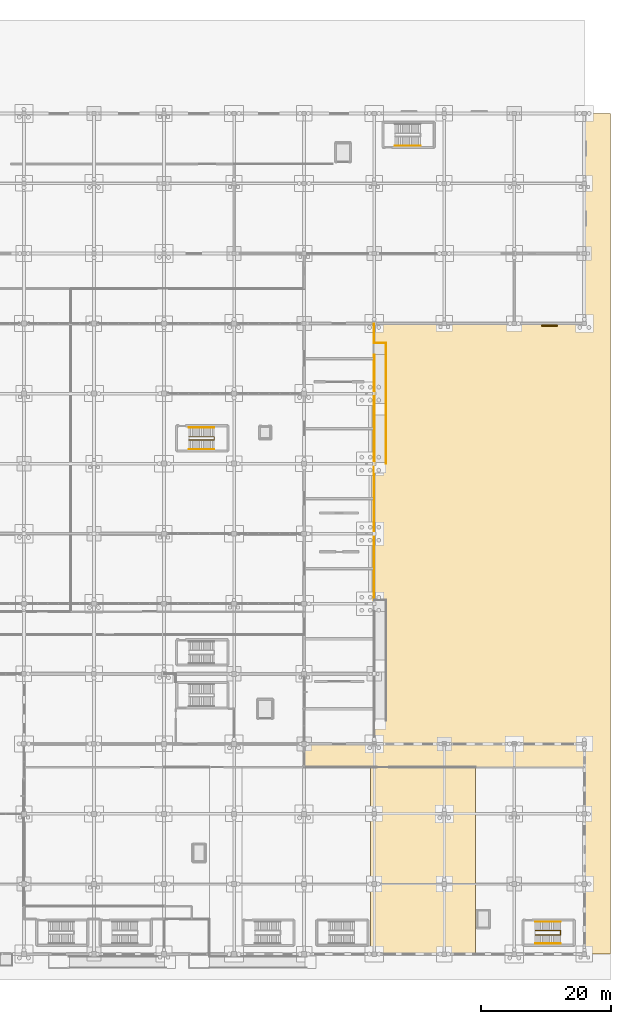
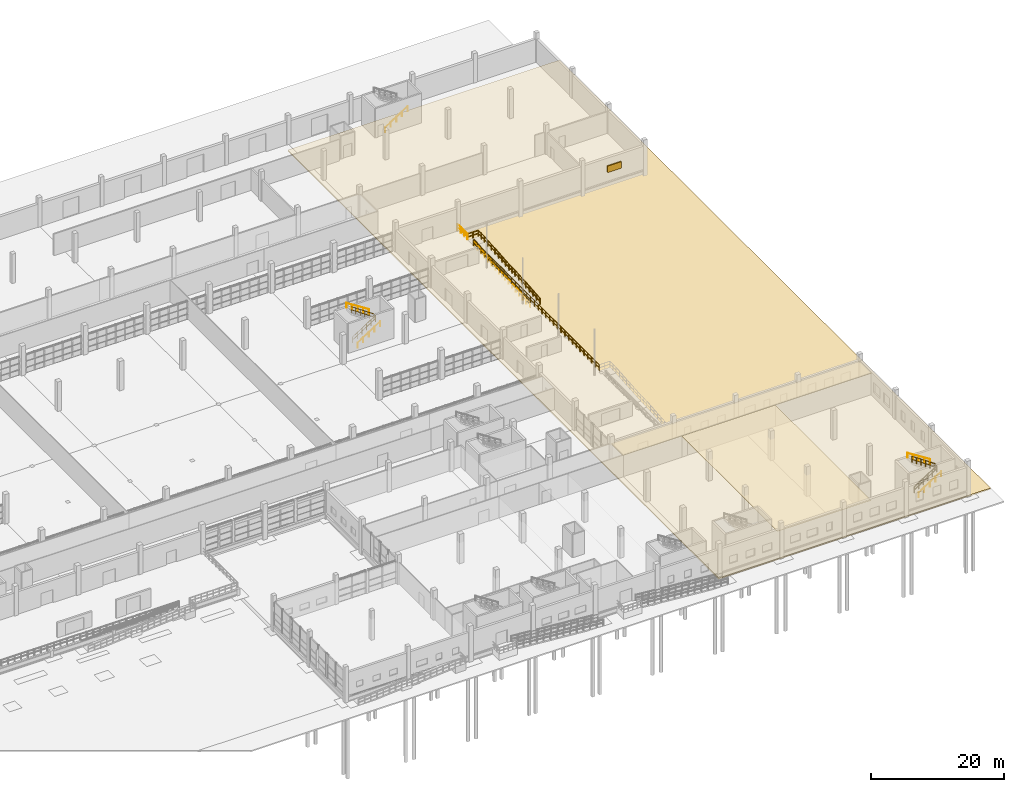
# One storey, part 136 of 138: 12 railings, 3 coverings, 1 shading device.
"""IFC4 building model written with IfcOpenShell, lengths in metres."""

from ifc_helpers import new_model, si_unit, direction, frame, origin, origin_2d, place, context, subcontext, project, spatial, polyline, rectangle, circle, outline, extrude, material, layer, layer_set, type_object, element, save


model = new_model("IFC4")

# Units and contexts
model_context = context("Model", 3, precision=1e-05, world=origin(), true_north=direction((0.0, 1.0)))
body_context = subcontext(model_context, "Body", "Model", "MODEL_VIEW")
ifc_project = project(units=[si_unit("LENGTHUNIT", "METRE"), si_unit("AREAUNIT", "SQUARE_METRE"), si_unit("VOLUMEUNIT", "CUBIC_METRE"), si_unit("PLANEANGLEUNIT", "RADIAN"), si_unit("MASSUNIT", "GRAM", prefix="KILO")], contexts=[model_context])

# Site, building, storey
site_placement = place(None, origin())
site = spatial("IfcSite", under=ifc_project, at=site_placement, CompositionType="ELEMENT")
building_placement = place(site_placement, origin())
building = spatial("IfcBuilding", under=site, at=building_placement, Name="Zwinboog Wholesale Market", CompositionType="ELEMENT")
storey_placement = place(building_placement, origin())
storey = spatial("IfcBuildingStorey", under=building, at=storey_placement, Name="L00", CompositionType="ELEMENT", Elevation=0.0)

# Shading device
ifc_material_1 = material(Name="Western red cedar timber", Category="wood")
shading_device_type = type_object("IfcShadingDeviceType", Name="SHD-LVR-CEDAR", PredefinedType="JALOUSIE", material=ifc_material_1)
shading_device_placement = place(storey_placement, frame((210.60009765625, 96.892578125, 1.7001953125), z_axis=(0.0, 0.0, 1.0), x_axis=(1.0, 0.0, 0.0)))
element("IfcShadingDevice", 1, at=shading_device_placement, inside=storey, type_object=shading_device_type, Name="LV-01 (SHD-LVR-08)", PredefinedType="JALOUSIE", context=body_context, shape_type="SweptSolid", body=[
    extrude(rectangle(XDim=2.39990234375, YDim=0.179931640625, at=origin_2d()), origin(), (0.0, 0.0, 1.0), 1.199951171875),
])

# Railings
ifc_material_2 = material(Name="Steel S355", Category="steel")
railing_type_1 = type_object("IfcRailingType", Name="RLT-EXT-GUARD", PredefinedType="BALUSTRADE", material=ifc_material_2)
railing_1_placement = place(storey_placement, frame((183.550048828125, 54.60009765625, 0.0)))
element("IfcRailing", 2, at=railing_1_placement, inside=storey, type_object=railing_type_1, Name="GR-01 (RLG-EXT-06)", PredefinedType="BALUSTRADE", context=body_context, shape_type="SweptSolid", body=[
    extrude(circle(Radius=0.02392578125, at=origin_2d()), frame((0.0, 0.0, 1.09619140625), z_axis=(0.0, 1.0, 0.0), x_axis=(-1.0, 0.0, 0.0)), (0.0, 0.0, 1.0), 37.7998046875),
    extrude(circle(Radius=0.02392578125, at=origin_2d()), frame((0.0, 0.0, 0.5361328125), z_axis=(0.0, 1.0, 0.0), x_axis=(-1.0, 0.0, 0.0)), (0.0, 0.0, 1.0), 37.7998046875),
    extrude(circle(Radius=0.02099609375, at=origin_2d()), origin(), (0.0, 0.0, 1.0), 1.072021484375),
    extrude(circle(Radius=0.02099609375, at=origin_2d()), frame((0.0, 1.1455078125, 0.0)), (0.0, 0.0, 1.0), 1.072021484375),
    extrude(circle(Radius=0.02099609375, at=origin_2d()), frame((0.0, 2.291015625, 0.0)), (0.0, 0.0, 1.0), 1.072021484375),
    extrude(circle(Radius=0.02099609375, at=origin_2d()), frame((0.0, 3.436279296875, 0.0)), (0.0, 0.0, 1.0), 1.072021484375),
    extrude(circle(Radius=0.02099609375, at=origin_2d()), frame((0.0, 4.581787109375, 0.0)), (0.0, 0.0, 1.0), 1.072021484375),
    extrude(circle(Radius=0.02099609375, at=origin_2d()), frame((0.0, 5.727294921875, 0.0)), (0.0, 0.0, 1.0), 1.072021484375),
    extrude(circle(Radius=0.02099609375, at=origin_2d()), frame((0.0, 6.872802734375, 0.0)), (0.0, 0.0, 1.0), 1.072021484375),
    extrude(circle(Radius=0.02099609375, at=origin_2d()), frame((0.0, 8.01806640625, 0.0)), (0.0, 0.0, 1.0), 1.072021484375),
    extrude(circle(Radius=0.02099609375, at=origin_2d()), frame((0.0, 9.16357421875, 0.0)), (0.0, 0.0, 1.0), 1.072021484375),
    extrude(circle(Radius=0.02099609375, at=origin_2d()), frame((0.0, 10.30908203125, 0.0)), (0.0, 0.0, 1.0), 1.072021484375),
    extrude(circle(Radius=0.02099609375, at=origin_2d()), frame((0.0, 11.45458984375, 0.0)), (0.0, 0.0, 1.0), 1.072021484375),
    extrude(circle(Radius=0.02099609375, at=origin_2d()), frame((0.0, 12.599853515625, 0.0)), (0.0, 0.0, 1.0), 1.072021484375),
    extrude(circle(Radius=0.02099609375, at=origin_2d()), frame((0.0, 13.745361328125, 0.0)), (0.0, 0.0, 1.0), 1.072021484375),
    extrude(circle(Radius=0.02099609375, at=origin_2d()), frame((0.0, 14.890869140625, 0.0)), (0.0, 0.0, 1.0), 1.072021484375),
    extrude(circle(Radius=0.02099609375, at=origin_2d()), frame((0.0, 16.036376953125, 0.0)), (0.0, 0.0, 1.0), 1.072021484375),
    extrude(circle(Radius=0.02099609375, at=origin_2d()), frame((0.0, 17.181640625, 0.0)), (0.0, 0.0, 1.0), 1.072021484375),
    extrude(circle(Radius=0.02099609375, at=origin_2d()), frame((0.0, 18.3271484375, 0.0)), (0.0, 0.0, 1.0), 1.072021484375),
    extrude(circle(Radius=0.02099609375, at=origin_2d()), frame((0.0, 19.47265625, 0.0)), (0.0, 0.0, 1.0), 1.072021484375),
    extrude(circle(Radius=0.02099609375, at=origin_2d()), frame((0.0, 20.6181640625, 0.0)), (0.0, 0.0, 1.0), 1.072021484375),
    extrude(circle(Radius=0.02099609375, at=origin_2d()), frame((0.0, 21.763427734375, 0.0)), (0.0, 0.0, 1.0), 1.072021484375),
    extrude(circle(Radius=0.02099609375, at=origin_2d()), frame((0.0, 22.908935546875, 0.0)), (0.0, 0.0, 1.0), 1.072021484375),
    extrude(circle(Radius=0.02099609375, at=origin_2d()), frame((0.0, 24.054443359375, 0.0)), (0.0, 0.0, 1.0), 1.072021484375),
    extrude(circle(Radius=0.02099609375, at=origin_2d()), frame((0.0, 25.199951171875, 0.0)), (0.0, 0.0, 1.0), 1.072021484375),
    extrude(circle(Radius=0.02099609375, at=origin_2d()), frame((0.0, 26.34521484375, 0.0)), (0.0, 0.0, 1.0), 1.072021484375),
    extrude(circle(Radius=0.02099609375, at=origin_2d()), frame((0.0, 27.49072265625, 0.0)), (0.0, 0.0, 1.0), 1.072021484375),
    extrude(circle(Radius=0.02099609375, at=origin_2d()), frame((0.0, 28.63623046875, 0.0)), (0.0, 0.0, 1.0), 1.072021484375),
    extrude(circle(Radius=0.02099609375, at=origin_2d()), frame((0.0, 29.78173828125, 0.0)), (0.0, 0.0, 1.0), 1.072021484375),
    extrude(circle(Radius=0.02099609375, at=origin_2d()), frame((0.0, 30.927001953125, 0.0)), (0.0, 0.0, 1.0), 1.072021484375),
    extrude(circle(Radius=0.02099609375, at=origin_2d()), frame((0.0, 32.072509765625, 0.0)), (0.0, 0.0, 1.0), 1.072021484375),
    extrude(circle(Radius=0.02099609375, at=origin_2d()), frame((0.0, 33.218017578125, 0.0)), (0.0, 0.0, 1.0), 1.072021484375),
    extrude(circle(Radius=0.02099609375, at=origin_2d()), frame((0.0, 34.363525390625, 0.0)), (0.0, 0.0, 1.0), 1.072021484375),
    extrude(circle(Radius=0.02099609375, at=origin_2d()), frame((0.0, 35.5087890625, 0.0)), (0.0, 0.0, 1.0), 1.072021484375),
    extrude(circle(Radius=0.02099609375, at=origin_2d()), frame((0.0, 36.654296875, 0.0)), (0.0, 0.0, 1.0), 1.072021484375),
    extrude(circle(Radius=0.02099609375, at=origin_2d()), frame((0.0, 37.7998046875, 0.0)), (0.0, 0.0, 1.0), 1.072021484375),
])
railing_2_placement = place(storey_placement, frame((183.550048828125, 94.199951171875, 0.0)))
element("IfcRailing", 3, at=railing_2_placement, inside=storey, type_object=railing_type_1, Name="GR-01 (RLG-EXT-07)", PredefinedType="BALUSTRADE", context=body_context, shape_type="SweptSolid", body=[
    extrude(circle(Radius=0.02392578125, at=origin_2d()), frame((0.0, 0.0, 1.09619140625), z_axis=(0.0, 1.0, 0.0), x_axis=(-1.0, 0.0, 0.0)), (0.0, 0.0, 1.0), 2.949951171875),
    extrude(circle(Radius=0.02392578125, at=origin_2d()), frame((0.0, 0.0, 0.5361328125), z_axis=(0.0, 1.0, 0.0), x_axis=(-1.0, 0.0, 0.0)), (0.0, 0.0, 1.0), 2.949951171875),
    extrude(circle(Radius=0.02099609375, at=origin_2d()), origin(), (0.0, 0.0, 1.0), 1.072021484375),
    extrude(circle(Radius=0.02099609375, at=origin_2d()), frame((0.0, 0.9833984375, 0.0)), (0.0, 0.0, 1.0), 1.072021484375),
    extrude(circle(Radius=0.02099609375, at=origin_2d()), frame((0.0, 1.966552734375, 0.0)), (0.0, 0.0, 1.0), 1.072021484375),
    extrude(circle(Radius=0.02099609375, at=origin_2d()), frame((0.0, 2.949951171875, 0.0)), (0.0, 0.0, 1.0), 1.072021484375),
])
railing_3_placement = place(storey_placement, frame((185.409912109375, 75.60009765625, -1.199951171875)))
element("IfcRailing", 4, at=railing_3_placement, inside=storey, type_object=railing_type_1, Name="GR-01 (RLG-RMP-05-GO)", PredefinedType="BALUSTRADE", context=body_context, shape_type="SweptSolid", body=[
    extrude(circle(Radius=0.02392578125, at=origin_2d()), frame((0.0, 0.0, 1.09619140625), z_axis=(0.0, 0.99681682597, 0.079725876999), x_axis=(-1.0, 0.0, 0.0)), (0.0, 0.0, 1.0), 7.52392578125),
    extrude(circle(Radius=0.02392578125, at=origin_2d()), frame((0.0, 0.0, 0.5361328125), z_axis=(0.0, 0.99681682597, 0.079725876999), x_axis=(-1.0, 0.0, 0.0)), (0.0, 0.0, 1.0), 7.52392578125),
    extrude(circle(Radius=0.02392578125, at=origin_2d()), frame((0.0, 7.5, 1.69580078125), z_axis=(0.0, 1.0, 0.0), x_axis=(-1.0, 0.0, 0.0)), (0.0, 0.0, 1.0), 1.7998046875),
    extrude(circle(Radius=0.02392578125, at=origin_2d()), frame((0.0, 7.5, 1.1357421875), z_axis=(0.0, 1.0, 0.0), x_axis=(-1.0, 0.0, 0.0)), (0.0, 0.0, 1.0), 1.7998046875),
    extrude(circle(Radius=0.02392578125, at=origin_2d()), frame((0.0, 9.2998046875, 1.69580078125), z_axis=(0.0, 0.996814246708, 0.079758119089), x_axis=(-1.0, 0.0, 0.0)), (0.0, 0.0, 1.0), 7.52392578125),
    extrude(circle(Radius=0.02392578125, at=origin_2d()), frame((0.0, 9.2998046875, 1.1357421875), z_axis=(0.0, 0.996814246708, 0.079758119089), x_axis=(-1.0, 0.0, 0.0)), (0.0, 0.0, 1.0), 7.52392578125),
    extrude(circle(Radius=0.02392578125, at=origin_2d()), frame((0.0, 16.7998046875, 2.2958984375), z_axis=(0.0, 1.0, 0.0), x_axis=(-1.0, 0.0, 0.0)), (0.0, 0.0, 1.0), 1.800048828125),
    extrude(circle(Radius=0.02392578125, at=origin_2d()), frame((0.0, 16.7998046875, 1.73583984375), z_axis=(0.0, 1.0, 0.0), x_axis=(-1.0, 0.0, 0.0)), (0.0, 0.0, 1.0), 1.800048828125),
    extrude(circle(Radius=0.02392578125, at=origin_2d()), frame((0.0, 18.599853515625, 2.2958984375), z_axis=(-1.0, 0.0, 0.0), x_axis=(0.0, -1.0, 0.0)), (0.0, 0.0, 1.0), 1.809814453125),
    extrude(circle(Radius=0.02392578125, at=origin_2d()), frame((0.0, 18.599853515625, 1.73583984375), z_axis=(-1.0, 0.0, 0.0), x_axis=(0.0, -1.0, 0.0)), (0.0, 0.0, 1.0), 1.809814453125),
    extrude(circle(Radius=0.02099609375, at=origin_2d()), origin(), (0.0, 0.0, 1.0), 1.072021484375),
    extrude(circle(Radius=0.02099609375, at=origin_2d()), frame((0.0, 1.071533203125, 0.085693359375)), (0.0, 0.0, 1.0), 1.072021484375),
    extrude(circle(Radius=0.02099609375, at=origin_2d()), frame((0.0, 2.142822265625, 0.17138671875)), (0.0, 0.0, 1.0), 1.072021484375),
    extrude(circle(Radius=0.02099609375, at=origin_2d()), frame((0.0, 3.21435546875, 0.257080078125)), (0.0, 0.0, 1.0), 1.072021484375),
    extrude(circle(Radius=0.02099609375, at=origin_2d()), frame((0.0, 4.28564453125, 0.3427734375)), (0.0, 0.0, 1.0), 1.072021484375),
    extrude(circle(Radius=0.02099609375, at=origin_2d()), frame((0.0, 5.357177734375, 0.428466796875)), (0.0, 0.0, 1.0), 1.072021484375),
    extrude(circle(Radius=0.02099609375, at=origin_2d()), frame((0.0, 6.428466796875, 0.51416015625)), (0.0, 0.0, 1.0), 1.072021484375),
    extrude(circle(Radius=0.02099609375, at=origin_2d()), frame((0.0, 7.5, 0.599853515625)), (0.0, 0.0, 1.0), 1.072021484375),
    extrude(circle(Radius=0.02099609375, at=origin_2d()), frame((0.0, 8.39990234375, 0.599853515625)), (0.0, 0.0, 1.0), 1.072021484375),
    extrude(circle(Radius=0.02099609375, at=origin_2d()), frame((0.0, 9.2998046875, 0.599853515625)), (0.0, 0.0, 1.0), 1.072021484375),
    extrude(circle(Radius=0.02099609375, at=origin_2d()), frame((0.0, 10.371337890625, 0.685546875)), (0.0, 0.0, 1.0), 1.072021484375),
    extrude(circle(Radius=0.02099609375, at=origin_2d()), frame((0.0, 11.442626953125, 0.771240234375)), (0.0, 0.0, 1.0), 1.072021484375),
    extrude(circle(Radius=0.02099609375, at=origin_2d()), frame((0.0, 12.51416015625, 0.85693359375)), (0.0, 0.0, 1.0), 1.072021484375),
    extrude(circle(Radius=0.02099609375, at=origin_2d()), frame((0.0, 13.58544921875, 0.94287109375)), (0.0, 0.0, 1.0), 1.072021484375),
    extrude(circle(Radius=0.02099609375, at=origin_2d()), frame((0.0, 14.656982421875, 1.028564453125)), (0.0, 0.0, 1.0), 1.072021484375),
    extrude(circle(Radius=0.02099609375, at=origin_2d()), frame((0.0, 15.728271484375, 1.1142578125)), (0.0, 0.0, 1.0), 1.072021484375),
    extrude(circle(Radius=0.02099609375, at=origin_2d()), frame((0.0, 16.7998046875, 1.199951171875)), (0.0, 0.0, 1.0), 1.072021484375),
    extrude(circle(Radius=0.02099609375, at=origin_2d()), frame((0.0, 17.69970703125, 1.199951171875)), (0.0, 0.0, 1.0), 1.072021484375),
    extrude(circle(Radius=0.02099609375, at=origin_2d()), frame((0.0, 18.599853515625, 1.199951171875)), (0.0, 0.0, 1.0), 1.072021484375),
    extrude(circle(Radius=0.02099609375, at=origin_2d()), frame((-0.90478515625, 18.599853515625, 1.199951171875)), (0.0, 0.0, 1.0), 1.072021484375),
    extrude(circle(Radius=0.02099609375, at=origin_2d()), frame((-1.809814453125, 18.599853515625, 1.199951171875)), (0.0, 0.0, 1.0), 1.072021484375),
])
railing_4_placement = place(storey_placement, frame((183.68994140625, 75.60009765625, -1.199951171875)))
element("IfcRailing", 5, at=railing_4_placement, inside=storey, type_object=railing_type_1, Name="GR-01 (RLG-RMP-05-GI)", PredefinedType="BALUSTRADE", context=body_context, shape_type="SweptSolid", body=[
    extrude(circle(Radius=0.02392578125, at=origin_2d()), frame((0.0, 0.0, 1.09619140625), z_axis=(0.0, 0.99681682597, 0.079725876999), x_axis=(-1.0, 0.0, 0.0)), (0.0, 0.0, 1.0), 7.52392578125),
    extrude(circle(Radius=0.02392578125, at=origin_2d()), frame((0.0, 0.0, 0.5361328125), z_axis=(0.0, 0.99681682597, 0.079725876999), x_axis=(-1.0, 0.0, 0.0)), (0.0, 0.0, 1.0), 7.52392578125),
    extrude(circle(Radius=0.02392578125, at=origin_2d()), frame((0.0, 7.5, 1.69580078125), z_axis=(0.0, 1.0, 0.0), x_axis=(-1.0, 0.0, 0.0)), (0.0, 0.0, 1.0), 1.7998046875),
    extrude(circle(Radius=0.02392578125, at=origin_2d()), frame((0.0, 7.5, 1.1357421875), z_axis=(0.0, 1.0, 0.0), x_axis=(-1.0, 0.0, 0.0)), (0.0, 0.0, 1.0), 1.7998046875),
    extrude(circle(Radius=0.02392578125, at=origin_2d()), frame((0.0, 9.2998046875, 1.69580078125), z_axis=(0.0, 0.996814246708, 0.079758119089), x_axis=(-1.0, 0.0, 0.0)), (0.0, 0.0, 1.0), 7.52392578125),
    extrude(circle(Radius=0.02392578125, at=origin_2d()), frame((0.0, 9.2998046875, 1.1357421875), z_axis=(0.0, 0.996814246708, 0.079758119089), x_axis=(-1.0, 0.0, 0.0)), (0.0, 0.0, 1.0), 7.52392578125),
    extrude(circle(Radius=0.02099609375, at=origin_2d()), origin(), (0.0, 0.0, 1.0), 1.072021484375),
    extrude(circle(Radius=0.02099609375, at=origin_2d()), frame((0.0, 1.071533203125, 0.085693359375)), (0.0, 0.0, 1.0), 1.072021484375),
    extrude(circle(Radius=0.02099609375, at=origin_2d()), frame((0.0, 2.142822265625, 0.17138671875)), (0.0, 0.0, 1.0), 1.072021484375),
    extrude(circle(Radius=0.02099609375, at=origin_2d()), frame((0.0, 3.21435546875, 0.257080078125)), (0.0, 0.0, 1.0), 1.072021484375),
    extrude(circle(Radius=0.02099609375, at=origin_2d()), frame((0.0, 4.28564453125, 0.3427734375)), (0.0, 0.0, 1.0), 1.072021484375),
    extrude(circle(Radius=0.02099609375, at=origin_2d()), frame((0.0, 5.357177734375, 0.428466796875)), (0.0, 0.0, 1.0), 1.072021484375),
    extrude(circle(Radius=0.02099609375, at=origin_2d()), frame((0.0, 6.428466796875, 0.51416015625)), (0.0, 0.0, 1.0), 1.072021484375),
    extrude(circle(Radius=0.02099609375, at=origin_2d()), frame((0.0, 7.5, 0.599853515625)), (0.0, 0.0, 1.0), 1.072021484375),
    extrude(circle(Radius=0.02099609375, at=origin_2d()), frame((0.0, 8.39990234375, 0.599853515625)), (0.0, 0.0, 1.0), 1.072021484375),
    extrude(circle(Radius=0.02099609375, at=origin_2d()), frame((0.0, 9.2998046875, 0.599853515625)), (0.0, 0.0, 1.0), 1.072021484375),
    extrude(circle(Radius=0.02099609375, at=origin_2d()), frame((0.0, 10.371337890625, 0.685546875)), (0.0, 0.0, 1.0), 1.072021484375),
    extrude(circle(Radius=0.02099609375, at=origin_2d()), frame((0.0, 11.442626953125, 0.771240234375)), (0.0, 0.0, 1.0), 1.072021484375),
    extrude(circle(Radius=0.02099609375, at=origin_2d()), frame((0.0, 12.51416015625, 0.85693359375)), (0.0, 0.0, 1.0), 1.072021484375),
    extrude(circle(Radius=0.02099609375, at=origin_2d()), frame((0.0, 13.58544921875, 0.94287109375)), (0.0, 0.0, 1.0), 1.072021484375),
    extrude(circle(Radius=0.02099609375, at=origin_2d()), frame((0.0, 14.656982421875, 1.028564453125)), (0.0, 0.0, 1.0), 1.072021484375),
    extrude(circle(Radius=0.02099609375, at=origin_2d()), frame((0.0, 15.728271484375, 1.1142578125)), (0.0, 0.0, 1.0), 1.072021484375),
    extrude(circle(Radius=0.02099609375, at=origin_2d()), frame((0.0, 16.7998046875, 1.199951171875)), (0.0, 0.0, 1.0), 1.072021484375),
])

# Covering
ifc_material_3 = material(Name="Concrete C35/45", Category="concrete")
ifc_layer_1 = layer(ifc_material_3, 0.219970703125)
ifc_layer_set_1 = layer_set([ifc_layer_1], Name="Concrete C35/45")
covering_type_1 = type_object("IfcCoveringType", Name="COV-YARD-PAVE", PredefinedType="FLOORING", material=ifc_layer_set_1)
covering_1_placement = place(storey_placement, frame((0.0, 0.0, -1.419921875)))
element("IfcCovering", 6, at=covering_1_placement, inside=storey, type_object=covering_type_1, Name="East Arrival Forecourt and Loop Road Apron", PredefinedType="FLOORING", context=body_context, shape_type="SweptSolid", body=[
    extrude(outline(polyline([(172.800048828125, 0.0), (220.0, 0.0), (220.0, 129.60009765625), (172.800048828125, 129.60009765625), (172.800048828125, 0.0)])), origin(), (0.0, 0.0, 1.0), 0.219970703125),
])

# Railings
railing_type_2 = type_object("IfcRailingType", Name="RLT-INT-GUARD", PredefinedType="BALUSTRADE", material=ifc_material_2)
railing_5_placement = place(storey_placement, frame((155.02001953125, 79.260009765625, 0.179931640625)))
element("IfcRailing", 7, at=railing_5_placement, inside=storey, type_object=railing_type_2, Name="GR-02 (RLG-ST-07-G1)", PredefinedType="BALUSTRADE", context=body_context, shape_type="SweptSolid", body=[
    extrude(circle(Radius=0.02392578125, at=origin_2d()), frame((0.0, 0.0, 1.09619140625), z_axis=(0.841171666519, 0.0, 0.540768182723), x_axis=(0.0, 1.0, 0.0)), (0.0, 0.0, 1.0), 4.66015625),
    extrude(circle(Radius=0.02392578125, at=origin_2d()), frame((0.0, 0.0, 0.5361328125), z_axis=(0.841171666519, 0.0, 0.540768182723), x_axis=(0.0, 1.0, 0.0)), (0.0, 0.0, 1.0), 4.66015625),
    extrude(circle(Radius=0.02392578125, at=origin_2d()), frame((3.919921875, 0.0, 3.6162109375), z_axis=(0.0, 1.0, 0.0), x_axis=(-1.0, 0.0, 0.0)), (0.0, 0.0, 1.0), 0.47998046875),
    extrude(circle(Radius=0.02392578125, at=origin_2d()), frame((3.919921875, 0.0, 3.05615234375), z_axis=(0.0, 1.0, 0.0), x_axis=(-1.0, 0.0, 0.0)), (0.0, 0.0, 1.0), 0.47998046875),
    extrude(circle(Radius=0.02392578125, at=origin_2d()), frame((3.919921875, 0.47998046875, 3.6162109375), z_axis=(-0.823550731654, 0.0, 0.567242622158), x_axis=(0.0, -1.0, 0.0)), (0.0, 0.0, 1.0), 4.759765625),
    extrude(circle(Radius=0.02392578125, at=origin_2d()), frame((3.919921875, 0.47998046875, 3.05615234375), z_axis=(-0.823550731654, 0.0, 0.567242622158), x_axis=(0.0, -1.0, 0.0)), (0.0, 0.0, 1.0), 4.759765625),
    extrude(circle(Radius=0.02099609375, at=origin_2d()), origin(), (0.0, 0.0, 1.0), 1.072021484375),
    extrude(circle(Radius=0.02099609375, at=origin_2d()), frame((0.783935546875, 0.0, 0.50390625)), (0.0, 0.0, 1.0), 1.072021484375),
    extrude(circle(Radius=0.02099609375, at=origin_2d()), frame((1.56787109375, 0.0, 1.008056640625)), (0.0, 0.0, 1.0), 1.072021484375),
    extrude(circle(Radius=0.02099609375, at=origin_2d()), frame((2.35205078125, 0.0, 1.511962890625)), (0.0, 0.0, 1.0), 1.072021484375),
    extrude(circle(Radius=0.02099609375, at=origin_2d()), frame((3.135986328125, 0.0, 2.01611328125)), (0.0, 0.0, 1.0), 1.072021484375),
    extrude(circle(Radius=0.02099609375, at=origin_2d()), frame((3.919921875, 0.0, 2.52001953125)), (0.0, 0.0, 1.0), 1.072021484375),
    extrude(circle(Radius=0.02099609375, at=origin_2d()), frame((3.919921875, 0.47998046875, 2.52001953125)), (0.0, 0.0, 1.0), 1.072021484375),
    extrude(circle(Radius=0.02099609375, at=origin_2d()), frame((3.135986328125, 0.47998046875, 3.06005859375)), (0.0, 0.0, 1.0), 1.072021484375),
    extrude(circle(Radius=0.02099609375, at=origin_2d()), frame((2.35205078125, 0.47998046875, 3.60009765625)), (0.0, 0.0, 1.0), 1.072021484375),
    extrude(circle(Radius=0.02099609375, at=origin_2d()), frame((1.56787109375, 0.47998046875, 4.139892578125)), (0.0, 0.0, 1.0), 1.072021484375),
    extrude(circle(Radius=0.02099609375, at=origin_2d()), frame((0.783935546875, 0.47998046875, 4.679931640625)), (0.0, 0.0, 1.0), 1.072021484375),
    extrude(circle(Radius=0.02099609375, at=origin_2d()), frame((0.0, 0.47998046875, 5.219970703125)), (0.0, 0.0, 1.0), 1.072021484375),
])
railing_6_placement = place(storey_placement, frame((208.419921875, 2.9599609375, 0.179931640625)))
element("IfcRailing", 8, at=railing_6_placement, inside=storey, type_object=railing_type_2, Name="GR-02 (RLG-ST-08A-G1)", PredefinedType="BALUSTRADE", context=body_context, shape_type="SweptSolid", body=[
    extrude(circle(Radius=0.02392578125, at=origin_2d()), frame((0.0, 0.0, 1.09619140625), z_axis=(0.841186985886, 0.0, 0.540744352514), x_axis=(0.0, 1.0, 0.0)), (0.0, 0.0, 1.0), 4.660400390625),
    extrude(circle(Radius=0.02392578125, at=origin_2d()), frame((0.0, 0.0, 0.5361328125), z_axis=(0.841186985886, 0.0, 0.540744352514), x_axis=(0.0, 1.0, 0.0)), (0.0, 0.0, 1.0), 4.660400390625),
    extrude(circle(Radius=0.02392578125, at=origin_2d()), frame((3.920166015625, 0.0, 3.6162109375), z_axis=(0.0, 1.0, 0.0), x_axis=(-1.0, 0.0, 0.0)), (0.0, 0.0, 1.0), 0.679931640625),
    extrude(circle(Radius=0.02392578125, at=origin_2d()), frame((3.920166015625, 0.0, 3.05615234375), z_axis=(0.0, 1.0, 0.0), x_axis=(-1.0, 0.0, 0.0)), (0.0, 0.0, 1.0), 0.679931640625),
    extrude(circle(Radius=0.02392578125, at=origin_2d()), frame((3.920166015625, 0.679931640625, 3.6162109375), z_axis=(-0.823567234665, 0.0, 0.567218661528), x_axis=(0.0, -1.0, 0.0)), (0.0, 0.0, 1.0), 4.760009765625),
    extrude(circle(Radius=0.02392578125, at=origin_2d()), frame((3.920166015625, 0.679931640625, 3.05615234375), z_axis=(-0.823567234665, 0.0, 0.567218661528), x_axis=(0.0, -1.0, 0.0)), (0.0, 0.0, 1.0), 4.760009765625),
    extrude(circle(Radius=0.02099609375, at=origin_2d()), origin(), (0.0, 0.0, 1.0), 1.072021484375),
    extrude(circle(Radius=0.02099609375, at=origin_2d()), frame((0.783935546875, 0.0, 0.50390625)), (0.0, 0.0, 1.0), 1.072021484375),
    extrude(circle(Radius=0.02099609375, at=origin_2d()), frame((1.568115234375, 0.0, 1.008056640625)), (0.0, 0.0, 1.0), 1.072021484375),
    extrude(circle(Radius=0.02099609375, at=origin_2d()), frame((2.35205078125, 0.0, 1.511962890625)), (0.0, 0.0, 1.0), 1.072021484375),
    extrude(circle(Radius=0.02099609375, at=origin_2d()), frame((3.13623046875, 0.0, 2.01611328125)), (0.0, 0.0, 1.0), 1.072021484375),
    extrude(circle(Radius=0.02099609375, at=origin_2d()), frame((3.920166015625, 0.0, 2.52001953125)), (0.0, 0.0, 1.0), 1.072021484375),
    extrude(circle(Radius=0.02099609375, at=origin_2d()), frame((3.920166015625, 0.679931640625, 2.52001953125)), (0.0, 0.0, 1.0), 1.072021484375),
    extrude(circle(Radius=0.02099609375, at=origin_2d()), frame((3.13623046875, 0.679931640625, 3.06005859375)), (0.0, 0.0, 1.0), 1.072021484375),
    extrude(circle(Radius=0.02099609375, at=origin_2d()), frame((2.35205078125, 0.679931640625, 3.60009765625)), (0.0, 0.0, 1.0), 1.072021484375),
    extrude(circle(Radius=0.02099609375, at=origin_2d()), frame((1.568115234375, 0.679931640625, 4.139892578125)), (0.0, 0.0, 1.0), 1.072021484375),
    extrude(circle(Radius=0.02099609375, at=origin_2d()), frame((0.783935546875, 0.679931640625, 4.679931640625)), (0.0, 0.0, 1.0), 1.072021484375),
    extrude(circle(Radius=0.02099609375, at=origin_2d()), frame((0.0, 0.679931640625, 5.219970703125)), (0.0, 0.0, 1.0), 1.072021484375),
])
railing_type_3 = type_object("IfcRailingType", Name="RLT-HANDRAIL", PredefinedType="HANDRAIL", material=ifc_material_2)
for number, where, name in (
    (9, (186.820068359375, 124.610107421875, 0.179931640625), "HR-01 (RLG-ST-05-HR1)"),
    (10, (155.02001953125, 77.81005859375, 0.179931640625), "HR-01 (RLG-ST-07-HR1)"),
):
    element("IfcRailing", number, at=place(storey_placement, frame(where)), inside=storey, type_object=railing_type_3, Name=name, PredefinedType="HANDRAIL", context=body_context, shape_type="SweptSolid", body=[
        extrude(circle(Radius=0.02392578125, at=origin_2d()), frame((0.0, 0.0, 0.8759765625), z_axis=(0.841171666519, 0.0, 0.540768182723), x_axis=(0.0, 1.0, 0.0)), (0.0, 0.0, 1.0), 4.66015625),
        extrude(circle(Radius=0.02099609375, at=origin_2d()), origin(), (0.0, 0.0, 1.0), 0.851806640625),
        extrude(circle(Radius=0.02099609375, at=origin_2d()), frame((0.97998046875, 0.0, 0.6298828125)), (0.0, 0.0, 1.0), 0.851806640625),
        extrude(circle(Radius=0.02099609375, at=origin_2d()), frame((1.9599609375, 0.0, 1.260009765625)), (0.0, 0.0, 1.0), 0.851806640625),
        extrude(circle(Radius=0.02099609375, at=origin_2d()), frame((2.93994140625, 0.0, 1.89013671875)), (0.0, 0.0, 1.0), 0.851806640625),
        extrude(circle(Radius=0.02099609375, at=origin_2d()), frame((3.919921875, 0.0, 2.52001953125)), (0.0, 0.0, 1.0), 0.851806640625),
    ])
railing_7_placement = place(storey_placement, frame((158.93994140625, 81.18994140625, 2.8798828125)))
element("IfcRailing", 11, at=railing_7_placement, inside=storey, type_object=railing_type_3, Name="HR-01 (RLG-ST-07-HR2)", PredefinedType="HANDRAIL", context=body_context, shape_type="SweptSolid", body=[
    extrude(circle(Radius=0.02392578125, at=origin_2d()), frame((0.0, 0.0, 0.8759765625), z_axis=(-0.841171666519, 0.0, 0.540768182723), x_axis=(0.0, -1.0, 0.0)), (0.0, 0.0, 1.0), 4.66015625),
    extrude(circle(Radius=0.02099609375, at=origin_2d()), origin(), (0.0, 0.0, 1.0), 0.851806640625),
    extrude(circle(Radius=0.02099609375, at=origin_2d()), frame((-0.97998046875, 0.0, 0.6298828125)), (0.0, 0.0, 1.0), 0.851806640625),
    extrude(circle(Radius=0.02099609375, at=origin_2d()), frame((-1.9599609375, 0.0, 1.260009765625)), (0.0, 0.0, 1.0), 0.851806640625),
    extrude(circle(Radius=0.02099609375, at=origin_2d()), frame((-2.93994140625, 0.0, 1.89013671875)), (0.0, 0.0, 1.0), 0.851806640625),
    extrude(circle(Radius=0.02099609375, at=origin_2d()), frame((-3.919921875, 0.0, 2.52001953125)), (0.0, 0.0, 1.0), 0.851806640625),
])
railing_8_placement = place(storey_placement, frame((208.419921875, 1.610107421875, 0.179931640625)))
element("IfcRailing", 12, at=railing_8_placement, inside=storey, type_object=railing_type_3, Name="HR-01 (RLG-ST-08A-HR1)", PredefinedType="HANDRAIL", context=body_context, shape_type="SweptSolid", body=[
    extrude(circle(Radius=0.02392578125, at=origin_2d()), frame((0.0, 0.0, 0.8759765625), z_axis=(0.841186985886, 0.0, 0.540744352514), x_axis=(0.0, 1.0, 0.0)), (0.0, 0.0, 1.0), 4.660400390625),
    extrude(circle(Radius=0.02099609375, at=origin_2d()), origin(), (0.0, 0.0, 1.0), 0.851806640625),
    extrude(circle(Radius=0.02099609375, at=origin_2d()), frame((0.97998046875, 0.0, 0.6298828125)), (0.0, 0.0, 1.0), 0.851806640625),
    extrude(circle(Radius=0.02099609375, at=origin_2d()), frame((1.9599609375, 0.0, 1.260009765625)), (0.0, 0.0, 1.0), 0.851806640625),
    extrude(circle(Radius=0.02099609375, at=origin_2d()), frame((2.940185546875, 0.0, 1.89013671875)), (0.0, 0.0, 1.0), 0.851806640625),
    extrude(circle(Radius=0.02099609375, at=origin_2d()), frame((3.920166015625, 0.0, 2.52001953125)), (0.0, 0.0, 1.0), 0.851806640625),
])
railing_9_placement = place(storey_placement, frame((212.340087890625, 4.989990234375, 2.8798828125)))
element("IfcRailing", 13, at=railing_9_placement, inside=storey, type_object=railing_type_3, Name="HR-01 (RLG-ST-08A-HR2)", PredefinedType="HANDRAIL", context=body_context, shape_type="SweptSolid", body=[
    extrude(circle(Radius=0.02392578125, at=origin_2d()), frame((0.0, 0.0, 0.8759765625), z_axis=(-0.841186985886, 0.0, 0.540744352514), x_axis=(0.0, -1.0, 0.0)), (0.0, 0.0, 1.0), 4.660400390625),
    extrude(circle(Radius=0.02099609375, at=origin_2d()), origin(), (0.0, 0.0, 1.0), 0.851806640625),
    extrude(circle(Radius=0.02099609375, at=origin_2d()), frame((-0.97998046875, 0.0, 0.6298828125)), (0.0, 0.0, 1.0), 0.851806640625),
    extrude(circle(Radius=0.02099609375, at=origin_2d()), frame((-1.9599609375, 0.0, 1.260009765625)), (0.0, 0.0, 1.0), 0.851806640625),
    extrude(circle(Radius=0.02099609375, at=origin_2d()), frame((-2.940185546875, 0.0, 1.89013671875)), (0.0, 0.0, 1.0), 0.851806640625),
    extrude(circle(Radius=0.02099609375, at=origin_2d()), frame((-3.920166015625, 0.0, 2.52001953125)), (0.0, 0.0, 1.0), 0.851806640625),
])
railing_10_placement = place(storey_placement, frame((183.68994140625, 75.60009765625, -1.199951171875)))
element("IfcRailing", 14, at=railing_10_placement, inside=storey, type_object=railing_type_3, Name="HR-01 (RLG-RMP-05-HR)", PredefinedType="HANDRAIL", context=body_context, shape_type="SweptSolid", body=[
    extrude(circle(Radius=0.02392578125, at=origin_2d()), frame((0.0, 0.0, 0.8759765625), z_axis=(0.0, 0.99681682597, 0.079725876999), x_axis=(-1.0, 0.0, 0.0)), (0.0, 0.0, 1.0), 7.52392578125),
    extrude(circle(Radius=0.02392578125, at=origin_2d()), frame((0.0, 7.5, 1.4755859375), z_axis=(0.0, 1.0, 0.0), x_axis=(-1.0, 0.0, 0.0)), (0.0, 0.0, 1.0), 1.7998046875),
    extrude(circle(Radius=0.02392578125, at=origin_2d()), frame((0.0, 9.2998046875, 1.4755859375), z_axis=(0.0, 0.996814246708, 0.079758119089), x_axis=(-1.0, 0.0, 0.0)), (0.0, 0.0, 1.0), 7.52392578125),
    extrude(circle(Radius=0.02099609375, at=origin_2d()), origin(), (0.0, 0.0, 1.0), 0.851806640625),
    extrude(circle(Radius=0.02099609375, at=origin_2d()), frame((0.0, 1.071533203125, 0.085693359375)), (0.0, 0.0, 1.0), 0.851806640625),
    extrude(circle(Radius=0.02099609375, at=origin_2d()), frame((0.0, 2.142822265625, 0.17138671875)), (0.0, 0.0, 1.0), 0.851806640625),
    extrude(circle(Radius=0.02099609375, at=origin_2d()), frame((0.0, 3.21435546875, 0.257080078125)), (0.0, 0.0, 1.0), 0.851806640625),
    extrude(circle(Radius=0.02099609375, at=origin_2d()), frame((0.0, 4.28564453125, 0.3427734375)), (0.0, 0.0, 1.0), 0.851806640625),
    extrude(circle(Radius=0.02099609375, at=origin_2d()), frame((0.0, 5.357177734375, 0.428466796875)), (0.0, 0.0, 1.0), 0.851806640625),
    extrude(circle(Radius=0.02099609375, at=origin_2d()), frame((0.0, 6.428466796875, 0.51416015625)), (0.0, 0.0, 1.0), 0.851806640625),
    extrude(circle(Radius=0.02099609375, at=origin_2d()), frame((0.0, 7.5, 0.599853515625)), (0.0, 0.0, 1.0), 0.851806640625),
    extrude(circle(Radius=0.02099609375, at=origin_2d()), frame((0.0, 8.39990234375, 0.599853515625)), (0.0, 0.0, 1.0), 0.851806640625),
    extrude(circle(Radius=0.02099609375, at=origin_2d()), frame((0.0, 9.2998046875, 0.599853515625)), (0.0, 0.0, 1.0), 0.851806640625),
    extrude(circle(Radius=0.02099609375, at=origin_2d()), frame((0.0, 10.371337890625, 0.685546875)), (0.0, 0.0, 1.0), 0.851806640625),
    extrude(circle(Radius=0.02099609375, at=origin_2d()), frame((0.0, 11.442626953125, 0.771240234375)), (0.0, 0.0, 1.0), 0.851806640625),
    extrude(circle(Radius=0.02099609375, at=origin_2d()), frame((0.0, 12.51416015625, 0.85693359375)), (0.0, 0.0, 1.0), 0.851806640625),
    extrude(circle(Radius=0.02099609375, at=origin_2d()), frame((0.0, 13.58544921875, 0.94287109375)), (0.0, 0.0, 1.0), 0.851806640625),
    extrude(circle(Radius=0.02099609375, at=origin_2d()), frame((0.0, 14.656982421875, 1.028564453125)), (0.0, 0.0, 1.0), 0.851806640625),
    extrude(circle(Radius=0.02099609375, at=origin_2d()), frame((0.0, 15.728271484375, 1.1142578125)), (0.0, 0.0, 1.0), 0.851806640625),
    extrude(circle(Radius=0.02099609375, at=origin_2d()), frame((0.0, 16.7998046875, 1.199951171875)), (0.0, 0.0, 1.0), 0.851806640625),
])

# Coverings
ifc_material_4 = material(Name="Western red cedar acoustic baffle ceiling", Category="wood")
ifc_layer_2 = layer(ifc_material_4, 0.080078125)
ifc_layer_set_2 = layer_set([ifc_layer_2], Name="Western red cedar acoustic baffle ceiling")
covering_type_2 = type_object("IfcCoveringType", Name="COV-CEIL-CEDAR", PredefinedType="CEILING", material=ifc_layer_set_2)
covering_2_placement = place(storey_placement, frame((0.0, 0.0, 3.77001953125)))
element("IfcCovering", 15, at=covering_2_placement, inside=storey, type_object=covering_type_2, Name="CL-01 (COV-CL-L00-015)", PredefinedType="CEILING", context=body_context, shape_type="SweptSolid", body=[
    extrude(outline(polyline([(183.0, 0.0), (199.25, 0.0), (199.25, 28.800048828125), (183.0, 28.800048828125), (183.0, 0.0)])), origin(), (0.0, 0.0, 1.0), 0.080078125),
])
ifc_material_5 = material(Name="Hygienic washable acoustic gypsum ceiling")
ifc_layer_3 = layer(ifc_material_5, 0.050048828125)
ifc_layer_set_3 = layer_set([ifc_layer_3], Name="Hygienic washable acoustic gypsum ceiling")
covering_type_3 = type_object("IfcCoveringType", Name="COV-CEIL-HYG", PredefinedType="CEILING", material=ifc_layer_set_3)
covering_3_placement = place(storey_placement, frame((0.0, 0.0, 3.800048828125)))
element("IfcCovering", 16, at=covering_3_placement, inside=storey, type_object=covering_type_3, Name="CL-02 (COV-CL-L00-016)", PredefinedType="CEILING", context=body_context, shape_type="SweptSolid", body=[
    extrude(outline(polyline([(172.800048828125, 28.800048828125), (216.0, 28.800048828125), (216.0, 32.39990234375), (172.800048828125, 32.39990234375), (172.800048828125, 28.800048828125)])), origin(), (0.0, 0.0, 1.0), 0.050048828125),
])

save(model, "model.ifc")
